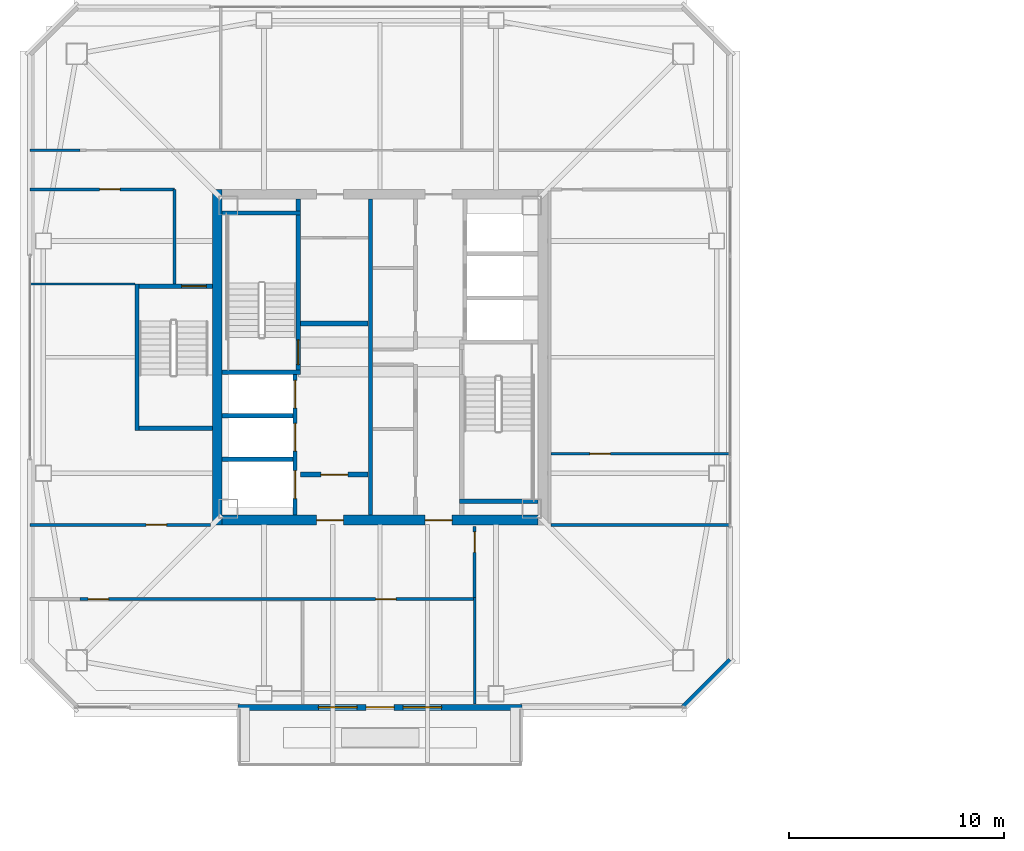
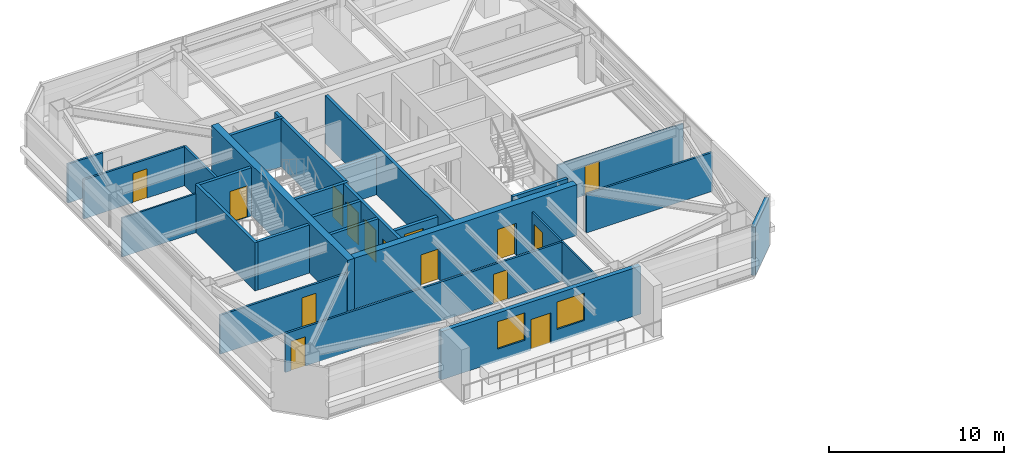
# One storey, part 29 of 40: 27 walls, 15 doors, 2 windows, 17 openings.
"""IFC4 building model written with IfcOpenShell, lengths in metres."""

from ifc_helpers import new_model, si_unit, direction, frame, frame_2d, origin, place, context, subcontext, project, spatial, rectangle, extrude, material, layer, layer_set, type_object, element, fill, save


model = new_model("IFC4")

# Units and contexts
model_context = context("Model", 3, precision=1e-05, world=origin(), true_north=direction((0.0, 1.0)))
body_context = subcontext(model_context, "Body", "Model", "MODEL_VIEW")
ifc_project = project(units=[si_unit("LENGTHUNIT", "METRE"), si_unit("AREAUNIT", "SQUARE_METRE"), si_unit("VOLUMEUNIT", "CUBIC_METRE"), si_unit("PLANEANGLEUNIT", "RADIAN"), si_unit("MASSUNIT", "GRAM", prefix="KILO")], contexts=[model_context])

# Site, building, storey
site_placement = place(None, origin())
site = spatial("IfcSite", under=ifc_project, at=site_placement, CompositionType="ELEMENT")
building_placement = place(site_placement, origin())
building = spatial("IfcBuilding", under=site, at=building_placement, Name="Tashvorn Skyway Center", CompositionType="ELEMENT")
storey_placement = place(building_placement, frame((0.0, 0.0, 221.949951171875)))
storey = spatial("IfcBuildingStorey", under=building, at=storey_placement, Name="L60", CompositionType="ELEMENT", Elevation=221.949951171875)

# Wall
ifc_material_1 = material(Name="Concrete C50/60", Category="concrete")
ifc_layer_1 = layer(ifc_material_1, 0.449951171875)
ifc_layer_set_1 = layer_set([ifc_layer_1], Name="Concrete C50/60")
wall_type_1 = type_object("IfcWallType", Name="WALL-CORE-450", PredefinedType="SHEAR", material=ifc_layer_set_1)
wall_1_placement = place(storey_placement, frame((34.425048828125, 24.199951171875, 0.0), z_axis=(0.0, 0.0, 1.0), x_axis=(0.0, 1.0, 0.0)))
element("IfcWall", 1, at=wall_1_placement, inside=storey, type_object=wall_type_1, Name="Tower 1 L60 West Core Shear Wall", PredefinedType="SHEAR", context=body_context, shape_type="SweptSolid", body=[
    extrude(rectangle(XDim=15.60009765625, YDim=0.449951171875, at=frame_2d((7.800048828125, 0.0))), origin(), (0.0, 0.0, 1.0), 3.550048828125),
])

# Wall, openings, doors
wall_2_placement = place(storey_placement, frame((49.35009765625, 24.425048828125, 0.0), z_axis=(0.0, 0.0, 1.0), x_axis=(-1.0, 0.0, 0.0)))
wall_2 = element("IfcWall", 2, at=wall_2_placement, inside=storey, type_object=wall_type_1, Name="Tower 1 L60 South Core Shear Wall", PredefinedType="SHEAR", context=body_context, shape_type="SweptSolid", body=[
    extrude(rectangle(XDim=14.7001953125, YDim=0.449951171875, at=frame_2d((7.35009765625, 0.0))), origin(), (0.0, 0.0, 1.0), 3.550048828125),
])
opening_1_placement = place(wall_2_placement, frame((9.050048828125, 0.0, 0.0)))
opening_1 = element("IfcOpeningElement", 3, at=opening_1_placement, cuts=wall_2, Name="Opening D-FFL-1250", PredefinedType="OPENING", context=body_context, shape_type="SweptSolid", body=[
    extrude(rectangle(XDim=1.25, YDim=2.25, at=frame_2d((0.625, 1.125))), frame((0.0, 0.23486328125, 0.0), z_axis=(0.0, -1.0, 0.0), x_axis=(1.0, 0.0, 0.0)), (0.0, 0.0, 1.0), 0.469970703125),
])
opening_2_placement = place(wall_2_placement, frame((4.0, 0.0, 0.0)))
opening_2 = element("IfcOpeningElement", 4, at=opening_2_placement, cuts=wall_2, Name="Opening D-FFL-1250", PredefinedType="OPENING", context=body_context, shape_type="SweptSolid", body=[
    extrude(rectangle(XDim=1.25, YDim=2.25, at=frame_2d((0.625, 1.125))), frame((0.0, 0.23486328125, 0.0), z_axis=(0.0, -1.0, 0.0), x_axis=(1.0, 0.0, 0.0)), (0.0, 0.0, 1.0), 0.469970703125),
])
ifc_material_2 = material(Name="Hollow galvanized steel fire door assembly", Category="steel")
door_type_1 = type_object("IfcDoorType", Name="DOOR-FFL-1250", OperationType="NOTDEFINED", PredefinedType="DOOR", material=ifc_material_2)
door_1_placement = place(opening_1_placement, origin())
door_1 = element("IfcDoor", 5, at=door_1_placement, inside=storey, type_object=door_type_1, Name="Tower 1 L60 Core South Firefighting Exit Door", OperationType="SINGLE_SWING_LEFT", OverallHeight=2.25, OverallWidth=1.25, PredefinedType="DOOR", context=body_context, shape_type="SweptSolid", body=[
    extrude(rectangle(XDim=1.25, YDim=2.25, at=frame_2d((0.625, 1.125))), frame((0.0, 0.02490234375, 0.0), z_axis=(0.0, -1.0, 0.0), x_axis=(1.0, 0.0, 0.0)), (0.0, 0.0, 1.0), 0.050048828125),
])
fill(opening_1, door_1)
door_2_placement = place(opening_2_placement, origin())
door_2 = element("IfcDoor", 6, at=door_2_placement, inside=storey, type_object=door_type_1, Name="Tower 1 L60 Core South Lift Lobby Door", OperationType="SINGLE_SWING_RIGHT", OverallHeight=2.25, OverallWidth=1.25, PredefinedType="DOOR", context=body_context, shape_type="SweptSolid", body=[
    extrude(rectangle(XDim=1.25, YDim=2.25, at=frame_2d((0.625, 1.125))), frame((0.0, 0.02490234375, 0.0), z_axis=(0.0, -1.0, 0.0), x_axis=(1.0, 0.0, 0.0)), (0.0, 0.0, 1.0), 0.050048828125),
])
fill(opening_2, door_2)

# Wall, openings, door, windows
ifc_material_3 = material(Name="Precast concrete C40/50", Category="concrete")
ifc_layer_2 = layer(ifc_material_3, 0.280029296875)
ifc_layer_set_2 = layer_set([ifc_layer_2], Name="Precast concrete C40/50")
wall_type_2 = type_object("IfcWallType", Name="WALL-EXT-280", PredefinedType="SOLIDWALL", material=ifc_layer_set_2)
wall_3_placement = place(storey_placement, frame((48.60009765625, 15.719970703125, 0.0), z_axis=(0.0, 0.0, 1.0), x_axis=(-1.0, 0.0, 0.0)))
wall_3 = element("IfcWall", 7, at=wall_3_placement, inside=storey, type_object=wall_type_2, Name="Tower 1 L60 South Sky Garden Loggia Wall", PredefinedType="SOLIDWALL", context=body_context, shape_type="SweptSolid", body=[
    extrude(rectangle(XDim=13.2001953125, YDim=0.280029296875, at=frame_2d((6.60009765625, 0.0))), origin(), (0.0, 0.0, 1.0), 3.3701171875),
])
opening_3_placement = place(wall_3_placement, frame((5.949951171875, 0.0, 0.0)))
opening_3 = element("IfcOpeningElement", 8, at=opening_3_placement, cuts=wall_3, Name="Opening D-TER-1300", PredefinedType="OPENING", context=body_context, shape_type="SweptSolid", body=[
    extrude(rectangle(XDim=1.300048828125, YDim=2.14990234375, at=frame_2d((0.64990234375, 1.074951171875))), frame((0.0, 0.14990234375, 0.0), z_axis=(0.0, -1.0, 0.0), x_axis=(1.0, 0.0, 0.0)), (0.0, 0.0, 1.0), 0.300048828125),
])
opening_4_placement = place(wall_3_placement, frame((3.73193359375, 0.0, 0.85009765625)))
opening_4 = element("IfcOpeningElement", 9, at=opening_4_placement, cuts=wall_3, Name="Opening WIN-1800", PredefinedType="OPENING", context=body_context, shape_type="SweptSolid", body=[
    extrude(rectangle(XDim=1.800048828125, YDim=1.919921875, at=frame_2d((0.89990234375, 0.9599609375))), frame((0.0, 0.14990234375, 0.0), z_axis=(0.0, -1.0, 0.0), x_axis=(1.0, 0.0, 0.0)), (0.0, 0.0, 1.0), 0.300048828125),
])
opening_5_placement = place(wall_3_placement, frame((7.66796875, 0.0, 0.85009765625)))
opening_5 = element("IfcOpeningElement", 10, at=opening_5_placement, cuts=wall_3, Name="Opening WIN-1800", PredefinedType="OPENING", context=body_context, shape_type="SweptSolid", body=[
    extrude(rectangle(XDim=1.800048828125, YDim=1.919921875, at=frame_2d((0.89990234375, 0.9599609375))), frame((0.0, 0.14990234375, 0.0), z_axis=(0.0, -1.0, 0.0), x_axis=(1.0, 0.0, 0.0)), (0.0, 0.0, 1.0), 0.300048828125),
])
ifc_material_4 = material(Name="Thermally broken bronze-anodized aluminium 6063-T6", Category="aluminium")
door_type_2 = type_object("IfcDoorType", Name="DOOR-TERR-1300", OperationType="NOTDEFINED", PredefinedType="DOOR", material=ifc_material_4)
door_3_placement = place(opening_3_placement, origin())
door_3 = element("IfcDoor", 11, at=door_3_placement, inside=storey, type_object=door_type_2, Name="Tower 1 L60 Sky Garden Access Door", OperationType="SINGLE_SWING_RIGHT", OverallHeight=2.14990234375, OverallWidth=1.300048828125, PredefinedType="DOOR", context=body_context, shape_type="SweptSolid", body=[
    extrude(rectangle(XDim=1.300048828125, YDim=2.14990234375, at=frame_2d((0.64990234375, 1.074951171875))), frame((0.0, 0.02490234375, 0.0), z_axis=(0.0, -1.0, 0.0), x_axis=(1.0, 0.0, 0.0)), (0.0, 0.0, 1.0), 0.050048828125),
])
fill(opening_3, door_3)
ifc_material_5 = material(Name="Low-E solar-control double insulating safety glass", Category="glass")
window_type = type_object("IfcWindowType", Name="WIN-TERR-1800", PartitioningType="SINGLE_PANEL", PredefinedType="WINDOW", material=ifc_material_5)
window_1_placement = place(opening_4_placement, origin())
window_1 = element("IfcWindow", 12, at=window_1_placement, inside=storey, type_object=window_type, Name="Tower 1 L60 Sky Garden Window", OverallHeight=1.919921875, OverallWidth=1.800048828125, PartitioningType="SINGLE_PANEL", PredefinedType="WINDOW", context=body_context, shape_type="SweptSolid", body=[
    extrude(rectangle(XDim=1.800048828125, YDim=1.919921875, at=frame_2d((0.89990234375, 0.9599609375))), frame((0.0, 0.030029296875, 0.0), z_axis=(0.0, -1.0, 0.0), x_axis=(1.0, 0.0, 0.0)), (0.0, 0.0, 1.0), 0.06005859375),
])
fill(opening_4, window_1)
window_2_placement = place(opening_5_placement, origin())
window_2 = element("IfcWindow", 13, at=window_2_placement, inside=storey, type_object=window_type, Name="Tower 1 L60 Sky Garden Second Window", OverallHeight=1.919921875, OverallWidth=1.800048828125, PartitioningType="SINGLE_PANEL", PredefinedType="WINDOW", context=body_context, shape_type="SweptSolid", body=[
    extrude(rectangle(XDim=1.800048828125, YDim=1.919921875, at=frame_2d((0.89990234375, 0.9599609375))), frame((0.0, 0.030029296875, 0.0), z_axis=(0.0, -1.0, 0.0), x_axis=(1.0, 0.0, 0.0)), (0.0, 0.0, 1.0), 0.06005859375),
])
fill(opening_5, window_2)

# Walls
wall_4_placement = place(storey_placement, frame((58.300048828125, 17.89990234375, 0.0), z_axis=(0.0, 0.0, 1.0), x_axis=(-0.707106781187, -0.707106781187, 0.0)))
element("IfcWall", 14, at=wall_4_placement, inside=storey, type_object=wall_type_2, Name="Tower 1 L60 SE Precast Chamfer Wall", PredefinedType="SOLIDWALL", context=body_context, shape_type="SweptSolid", body=[
    extrude(rectangle(XDim=3.111083984375, YDim=0.280029296875, at=frame_2d((1.5556640625, 0.0))), origin(), (0.0, 0.0, 1.0), 3.3701171875),
])
ifc_material_6 = material(Name="Concrete C40/50", Category="concrete")
ifc_layer_3 = layer(ifc_material_6, 0.219970703125)
ifc_layer_set_3 = layer_set([ifc_layer_3], Name="Concrete C40/50")
wall_type_3 = type_object("IfcWallType", Name="WALL-FFL-220", PredefinedType="SOLIDWALL", material=ifc_layer_set_3)
wall_5_placement = place(storey_placement, frame((38.300048828125, 33.56005859375, 0.0), z_axis=(0.0, 0.0, 1.0), x_axis=(1.0, 0.0, 0.0)))
element("IfcWall", 15, at=wall_5_placement, inside=storey, type_object=wall_type_3, Name="Tower 1 L60 Firefighting Lobby North Wall", PredefinedType="SOLIDWALL", context=body_context, shape_type="SweptSolid", body=[
    extrude(rectangle(XDim=3.14990234375, YDim=0.219970703125, at=frame_2d((1.574951171875, 0.0))), origin(), (0.0, 0.0, 1.0), 2.72314453125),
])

# Wall, opening, door
wall_6_placement = place(storey_placement, frame((38.300048828125, 26.5400390625, 0.0), z_axis=(0.0, 0.0, 1.0), x_axis=(1.0, 0.0, 0.0)))
wall_6 = element("IfcWall", 16, at=wall_6_placement, inside=storey, type_object=wall_type_3, Name="Tower 1 L60 Firefighting Lobby South Wall", PredefinedType="SOLIDWALL", context=body_context, shape_type="SweptSolid", body=[
    extrude(rectangle(XDim=3.14990234375, YDim=0.219970703125, at=frame_2d((1.574951171875, 0.0))), origin(), (0.0, 0.0, 1.0), 2.72314453125),
])
opening_6_placement = place(wall_6_placement, frame((0.949951171875, 0.0, 0.0)))
opening_6 = element("IfcOpeningElement", 17, at=opening_6_placement, cuts=wall_6, Name="Opening D-FFL-1250", PredefinedType="OPENING", context=body_context, shape_type="SweptSolid", body=[
    extrude(rectangle(XDim=1.25, YDim=2.25, at=frame_2d((0.625, 1.125))), frame((0.0, 0.119873046875, 0.0), z_axis=(0.0, -1.0, 0.0), x_axis=(1.0, 0.0, 0.0)), (0.0, 0.0, 1.0), 0.239990234375),
])
door_4_placement = place(opening_6_placement, origin())
door_4 = element("IfcDoor", 18, at=door_4_placement, inside=storey, type_object=door_type_1, Name="Tower 1 L60 Firefighting Lobby Egress Door", OperationType="SINGLE_SWING_LEFT", OverallHeight=2.25, OverallWidth=1.25, PredefinedType="DOOR", context=body_context, shape_type="SweptSolid", body=[
    extrude(rectangle(XDim=1.25, YDim=2.25, at=frame_2d((0.625, 1.125))), frame((0.0, 0.02490234375, 0.0), z_axis=(0.0, -1.0, 0.0), x_axis=(1.0, 0.0, 0.0)), (0.0, 0.0, 1.0), 0.050048828125),
])
fill(opening_6, door_4)

# Wall
ifc_material_7 = material(Name="Gypsum board on cold-formed steel stud framing", Category="steel")
ifc_layer_4 = layer(ifc_material_7, 0.110107421875)
ifc_layer_set_4 = layer_set([ifc_layer_4], Name="Gypsum board on cold-formed steel stud framing")
wall_type_4 = type_object("IfcWallType", Name="WALL-PART-110", PredefinedType="PARTITIONING", material=ifc_layer_set_4)
wall_7_placement = place(storey_placement, frame((46.39990234375, 15.8701171875, 0.0), z_axis=(0.0, 0.0, 1.0), x_axis=(0.0, 1.0, 0.0)))
element("IfcWall", 19, at=wall_7_placement, inside=storey, type_object=wall_type_4, Name="Tower 1 L60 South-East Suite Wall", PredefinedType="PARTITIONING", context=body_context, shape_type="SweptSolid", body=[
    extrude(rectangle(XDim=4.9599609375, YDim=0.110107421875, at=frame_2d((2.47998046875, 0.0))), origin(), (0.0, 0.0, 1.0), 2.72314453125),
])

# Wall, opening, door
wall_8_placement = place(storey_placement, frame((49.9599609375, 27.5, 0.0), z_axis=(0.0, 0.0, 1.0), x_axis=(1.0, 0.0, 0.0)))
wall_8 = element("IfcWall", 20, at=wall_8_placement, inside=storey, type_object=wall_type_4, Name="Tower 1 L60 East Mid Partition", PredefinedType="PARTITIONING", context=body_context, shape_type="SweptSolid", body=[
    extrude(rectangle(XDim=8.320068359375, YDim=0.110107421875, at=frame_2d((4.16015625, 0.0))), origin(), (0.0, 0.0, 1.0), 2.72314453125),
])
opening_7_placement = place(wall_8_placement, frame((1.800048828125, 0.0, 0.0)))
opening_7 = element("IfcOpeningElement", 21, at=opening_7_placement, cuts=wall_8, Name="Opening D-INT-950", PredefinedType="OPENING", context=body_context, shape_type="SweptSolid", body=[
    extrude(rectangle(XDim=0.949951171875, YDim=2.050048828125, at=frame_2d((0.47509765625, 1.02490234375))), frame((0.0, 0.06494140625, 0.0), z_axis=(0.0, -1.0, 0.0), x_axis=(1.0, 0.0, 0.0)), (0.0, 0.0, 1.0), 0.130126953125),
])
ifc_material_8 = material(Name="Solid-core architectural oak veneer door")
door_type_3 = type_object("IfcDoorType", Name="DOOR-INT-950", OperationType="NOTDEFINED", PredefinedType="DOOR", material=ifc_material_8)
door_5_placement = place(opening_7_placement, origin())
door_5 = element("IfcDoor", 22, at=door_5_placement, inside=storey, type_object=door_type_3, Name="Tower 1 L60 Staff Fitness Club Door", OperationType="SINGLE_SWING_RIGHT", OverallHeight=2.050048828125, OverallWidth=0.949951171875, PredefinedType="DOOR", context=body_context, shape_type="SweptSolid", body=[
    extrude(rectangle(XDim=0.949951171875, YDim=2.050048828125, at=frame_2d((0.47509765625, 1.02490234375))), frame((0.0, 0.02490234375, 0.0), z_axis=(0.0, -1.0, 0.0), x_axis=(1.0, 0.0, 0.0)), (0.0, 0.0, 1.0), 0.050048828125),
])
fill(opening_7, door_5)

# Walls
wall_9_placement = place(storey_placement, frame((30.60009765625, 35.39990234375, 0.0), z_axis=(0.0, 0.0, 1.0), x_axis=(-1.0, 0.0, 0.0)))
element("IfcWall", 23, at=wall_9_placement, inside=storey, type_object=wall_type_4, Name="Tower 1 L60 West Suite Partition 1", PredefinedType="PARTITIONING", context=body_context, shape_type="SweptSolid", body=[
    extrude(rectangle(XDim=4.880126953125, YDim=0.110107421875, at=frame_2d((2.43994140625, 0.0))), origin(), (0.0, 0.0, 1.0), 2.72314453125),
])
ifc_layer_5 = layer(ifc_material_7, 0.135009765625)
ifc_layer_set_5 = layer_set([ifc_layer_5], Name="Gypsum board on cold-formed steel stud framing")
wall_type_5 = type_object("IfcWallType", Name="WALL-PART-135", PredefinedType="PARTITIONING", material=ifc_layer_set_5)
wall_10_placement = place(storey_placement, frame((32.449951171875, 35.39990234375, 0.0), z_axis=(0.0, 0.0, 1.0), x_axis=(0.0, 1.0, 0.0)))
element("IfcWall", 24, at=wall_10_placement, inside=storey, type_object=wall_type_5, Name="Tower 1 L60 Stair 3 Access Corridor Wall", PredefinedType="PARTITIONING", context=body_context, shape_type="SweptSolid", body=[
    extrude(rectangle(XDim=4.400146484375, YDim=0.135009765625, at=frame_2d((2.2001953125, 0.0))), origin(), (0.0, 0.0, 1.0), 2.72314453125),
])
wall_11_placement = place(storey_placement, frame((25.719970703125, 41.6201171875, 0.0), z_axis=(0.0, 0.0, 1.0), x_axis=(1.0, 0.0, 0.0)))
element("IfcWall", 25, at=wall_11_placement, inside=storey, type_object=wall_type_5, Name="Tower 1 L60 North-West Suite South Wall", PredefinedType="PARTITIONING", context=body_context, shape_type="SweptSolid", body=[
    extrude(rectangle(XDim=2.330078125, YDim=0.135009765625, at=frame_2d((1.1650390625, 0.0))), origin(), (0.0, 0.0, 1.0), 2.72314453125),
])

# Wall, openings, doors
wall_12_placement = place(storey_placement, frame((46.39990234375, 20.75, 0.0), z_axis=(0.0, 0.0, 1.0), x_axis=(-1.0, 0.0, 0.0)))
wall_12 = element("IfcWall", 26, at=wall_12_placement, inside=storey, type_object=wall_type_5, Name="Tower 1 L60 South Suite Wall", PredefinedType="PARTITIONING", context=body_context, shape_type="SweptSolid", body=[
    extrude(rectangle(XDim=18.349853515625, YDim=0.135009765625, at=frame_2d((9.1748046875, 0.0))), origin(), (0.0, 0.0, 1.0), 2.72314453125),
])
opening_8_placement = place(wall_12_placement, frame((17.02001953125, 0.0, 0.0)))
opening_8 = element("IfcOpeningElement", 27, at=opening_8_placement, cuts=wall_12, Name="Opening D-INT-950", PredefinedType="OPENING", context=body_context, shape_type="SweptSolid", body=[
    extrude(rectangle(XDim=0.949951171875, YDim=2.050048828125, at=frame_2d((0.47509765625, 1.02490234375))), frame((0.0, 0.077392578125, 0.0), z_axis=(0.0, -1.0, 0.0), x_axis=(1.0, 0.0, 0.0)), (0.0, 0.0, 1.0), 0.155029296875),
])
opening_9_placement = place(wall_12_placement, frame((3.65087890625, 0.0, 0.0)))
opening_9 = element("IfcOpeningElement", 28, at=opening_9_placement, cuts=wall_12, Name="Opening D-INT-950", PredefinedType="OPENING", context=body_context, shape_type="SweptSolid", body=[
    extrude(rectangle(XDim=0.949951171875, YDim=2.050048828125, at=frame_2d((0.47509765625, 1.02490234375))), frame((0.0, 0.077392578125, 0.0), z_axis=(0.0, -1.0, 0.0), x_axis=(1.0, 0.0, 0.0)), (0.0, 0.0, 1.0), 0.155029296875),
])
door_6_placement = place(opening_8_placement, origin())
door_6 = element("IfcDoor", 29, at=door_6_placement, inside=storey, type_object=door_type_3, Name="Tower 1 L60 Open Plan Office Door", OperationType="SINGLE_SWING_RIGHT", OverallHeight=2.050048828125, OverallWidth=0.949951171875, PredefinedType="DOOR", context=body_context, shape_type="SweptSolid", body=[
    extrude(rectangle(XDim=0.949951171875, YDim=2.050048828125, at=frame_2d((0.47509765625, 1.02490234375))), frame((0.0, 0.02490234375, 0.0), z_axis=(0.0, -1.0, 0.0), x_axis=(1.0, 0.0, 0.0)), (0.0, 0.0, 1.0), 0.050048828125),
])
fill(opening_8, door_6)
door_7_placement = place(opening_9_placement, origin())
door_7 = element("IfcDoor", 30, at=door_7_placement, inside=storey, type_object=door_type_3, Name="Tower 1 L60 Design Studio Door", OperationType="SINGLE_SWING_LEFT", OverallHeight=2.050048828125, OverallWidth=0.949951171875, PredefinedType="DOOR", context=body_context, shape_type="SweptSolid", body=[
    extrude(rectangle(XDim=0.949951171875, YDim=2.050048828125, at=frame_2d((0.47509765625, 1.02490234375))), frame((0.0, 0.02490234375, 0.0), z_axis=(0.0, -1.0, 0.0), x_axis=(1.0, 0.0, 0.0)), (0.0, 0.0, 1.0), 0.050048828125),
])
fill(opening_9, door_7)

# Wall, opening, door
wall_13_placement = place(storey_placement, frame((46.39990234375, 24.1201171875, 0.0), z_axis=(0.0, 0.0, 1.0), x_axis=(0.0, -1.0, 0.0)))
wall_13 = element("IfcWall", 31, at=wall_13_placement, inside=storey, type_object=wall_type_5, Name="Tower 1 L60 South Gallery End Wall", PredefinedType="PARTITIONING", context=body_context, shape_type="SweptSolid", body=[
    extrude(rectangle(XDim=3.2900390625, YDim=0.135009765625, at=frame_2d((1.64501953125, 0.0))), origin(), (0.0, 0.0, 1.0), 2.72314453125),
])
opening_10_placement = place(wall_13_placement, frame((0.25, 0.0, 0.0)))
opening_10 = element("IfcOpeningElement", 32, at=opening_10_placement, cuts=wall_13, Name="Opening D-INT-950", PredefinedType="OPENING", context=body_context, shape_type="SweptSolid", body=[
    extrude(rectangle(XDim=0.949951171875, YDim=2.050048828125, at=frame_2d((0.47509765625, 1.02490234375))), frame((0.0, 0.077392578125, 0.0), z_axis=(0.0, -1.0, 0.0), x_axis=(1.0, 0.0, 0.0)), (0.0, 0.0, 1.0), 0.155029296875),
])
door_8_placement = place(opening_10_placement, origin())
door_8 = element("IfcDoor", 33, at=door_8_placement, inside=storey, type_object=door_type_3, Name="Tower 1 L60 Executive Study Lounge Door", OperationType="SINGLE_SWING_RIGHT", OverallHeight=2.050048828125, OverallWidth=0.949951171875, PredefinedType="DOOR", context=body_context, shape_type="SweptSolid", body=[
    extrude(rectangle(XDim=0.949951171875, YDim=2.050048828125, at=frame_2d((0.47509765625, 1.02490234375))), frame((0.0, 0.02490234375, 0.0), z_axis=(0.0, -1.0, 0.0), x_axis=(1.0, 0.0, 0.0)), (0.0, 0.0, 1.0), 0.050048828125),
])
fill(opening_10, door_8)

# Wall
wall_14_placement = place(storey_placement, frame((49.9599609375, 24.199951171875, 0.0), z_axis=(0.0, 0.0, 1.0), x_axis=(1.0, 0.0, 0.0)))
element("IfcWall", 34, at=wall_14_placement, inside=storey, type_object=wall_type_5, Name="Tower 1 L60 East Suite South Wall", PredefinedType="PARTITIONING", context=body_context, shape_type="SweptSolid", body=[
    extrude(rectangle(XDim=8.320068359375, YDim=0.135009765625, at=frame_2d((4.16015625, 0.0))), origin(), (0.0, 0.0, 1.0), 2.72314453125),
])

# Wall, opening, door
wall_15_placement = place(storey_placement, frame((32.449951171875, 39.800048828125, 0.0), z_axis=(0.0, 0.0, 1.0), x_axis=(-1.0, 0.0, 0.0)))
wall_15 = element("IfcWall", 35, at=wall_15_placement, inside=storey, type_object=wall_type_5, Name="Tower 1 L60 West Suite North Wall", PredefinedType="PARTITIONING", context=body_context, shape_type="SweptSolid", body=[
    extrude(rectangle(XDim=6.72998046875, YDim=0.135009765625, at=frame_2d((3.364990234375, 0.0))), origin(), (0.0, 0.0, 1.0), 2.72314453125),
])
opening_11_placement = place(wall_15_placement, frame((2.5400390625, 0.0, 0.0)))
opening_11 = element("IfcOpeningElement", 36, at=opening_11_placement, cuts=wall_15, Name="Opening D-INT-950", PredefinedType="OPENING", context=body_context, shape_type="SweptSolid", body=[
    extrude(rectangle(XDim=0.949951171875, YDim=2.050048828125, at=frame_2d((0.47509765625, 1.02490234375))), frame((0.0, 0.077392578125, 0.0), z_axis=(0.0, -1.0, 0.0), x_axis=(1.0, 0.0, 0.0)), (0.0, 0.0, 1.0), 0.155029296875),
])
door_9_placement = place(opening_11_placement, origin())
door_9 = element("IfcDoor", 37, at=door_9_placement, inside=storey, type_object=door_type_3, Name="Tower 1 L60 Staff Fitness Club Door", OperationType="SINGLE_SWING_LEFT", OverallHeight=2.050048828125, OverallWidth=0.949951171875, PredefinedType="DOOR", context=body_context, shape_type="SweptSolid", body=[
    extrude(rectangle(XDim=0.949951171875, YDim=2.050048828125, at=frame_2d((0.47509765625, 1.02490234375))), frame((0.0, 0.02490234375, 0.0), z_axis=(0.0, -1.0, 0.0), x_axis=(1.0, 0.0, 0.0)), (0.0, 0.0, 1.0), 0.050048828125),
])
fill(opening_11, door_9)

wall_16_placement = place(storey_placement, frame((25.719970703125, 24.199951171875, 0.0), z_axis=(0.0, 0.0, 1.0), x_axis=(1.0, 0.0, 0.0)))
wall_16 = element("IfcWall", 38, at=wall_16_placement, inside=storey, type_object=wall_type_5, Name="Tower 1 L60 West Suite South Wall", PredefinedType="PARTITIONING", context=body_context, shape_type="SweptSolid", body=[
    extrude(rectangle(XDim=8.400146484375, YDim=0.135009765625, at=frame_2d((4.2001953125, 0.0))), origin(), (0.0, 0.0, 1.0), 2.72314453125),
])
opening_12_placement = place(wall_16_placement, frame((5.405029296875, 0.0, 0.0)))
opening_12 = element("IfcOpeningElement", 39, at=opening_12_placement, cuts=wall_16, Name="Opening D-INT-950", PredefinedType="OPENING", context=body_context, shape_type="SweptSolid", body=[
    extrude(rectangle(XDim=0.949951171875, YDim=2.050048828125, at=frame_2d((0.47509765625, 1.02490234375))), frame((0.0, 0.077392578125, 0.0), z_axis=(0.0, -1.0, 0.0), x_axis=(1.0, 0.0, 0.0)), (0.0, 0.0, 1.0), 0.155029296875),
])
door_10_placement = place(opening_12_placement, origin())
door_10 = element("IfcDoor", 40, at=door_10_placement, inside=storey, type_object=door_type_3, Name="Tower 1 L60 Public Restroom Door", OperationType="SINGLE_SWING_RIGHT", OverallHeight=2.050048828125, OverallWidth=0.949951171875, PredefinedType="DOOR", context=body_context, shape_type="SweptSolid", body=[
    extrude(rectangle(XDim=0.949951171875, YDim=2.050048828125, at=frame_2d((0.47509765625, 1.02490234375))), frame((0.0, 0.02490234375, 0.0), z_axis=(0.0, -1.0, 0.0), x_axis=(1.0, 0.0, 0.0)), (0.0, 0.0, 1.0), 0.050048828125),
])
fill(opening_12, door_10)

# Walls
ifc_layer_6 = layer(ifc_material_6, 0.199951171875)
ifc_layer_set_6 = layer_set([ifc_layer_6], Name="Concrete C40/50")
wall_type_6 = type_object("IfcWallType", Name="WALL-SHAFT-200", PredefinedType="SOLIDWALL", material=ifc_layer_set_6)
for number, where, z_axis, x_axis, name in (
    (41, (34.64990234375, 27.25, 0.0), (0.0, 0.0, 1.0), (1.0, 0.0, 0.0), "Tower 1 L60 FSAE Shaft Divider"),
    (42, (34.64990234375, 29.280029296875, 0.0), (0.0, 0.0, 1.0), (1.0, 0.0, 0.0), "Tower 1 L60 FSAE Shaft Divider"),
):
    element("IfcWall", number, at=place(storey_placement, frame(where, z_axis=z_axis, x_axis=x_axis)), inside=storey, type_object=wall_type_6, Name=name, PredefinedType="SOLIDWALL", context=body_context, shape_type="SweptSolid", body=[
        extrude(rectangle(XDim=3.300048828125, YDim=0.199951171875, at=frame_2d((1.64990234375, 0.0))), origin(), (0.0, 0.0, 1.0), 3.3701171875),
    ])

# Wall, opening, door
ifc_layer_7 = layer(ifc_material_6, 0.199951171875)
ifc_layer_set_7 = layer_set([ifc_layer_7], Name="Concrete C40/50")
wall_type_7 = type_object("IfcWallType", Name="WALL-STSHF-200", PredefinedType="SHEAR", material=ifc_layer_set_7)
wall_17_placement = place(storey_placement, frame((38.199951171875, 31.199951171875, 0.0), z_axis=(0.0, 0.0, 1.0), x_axis=(0.0, 1.0, 0.0)))
wall_17 = element("IfcWall", 43, at=wall_17_placement, inside=storey, type_object=wall_type_7, Name="Tower 1 L60 Stair 1 Enclosure Wall", PredefinedType="SHEAR", context=body_context, shape_type="SweptSolid", body=[
    extrude(rectangle(XDim=8.150146484375, YDim=0.199951171875, at=frame_2d((4.0751953125, 0.0))), origin(), (0.0, 0.0, 1.0), 3.3701171875),
])
opening_13_placement = place(wall_17_placement, frame((0.449951171875, 0.0, 0.0)))
opening_13 = element("IfcOpeningElement", 44, at=opening_13_placement, cuts=wall_17, Name="Opening D-ST-1150", PredefinedType="OPENING", context=body_context, shape_type="SweptSolid", body=[
    extrude(rectangle(XDim=1.14990234375, YDim=2.199951171875, at=frame_2d((0.574951171875, 1.10009765625))), frame((0.0, 0.10986328125, 0.0), z_axis=(0.0, -1.0, 0.0), x_axis=(1.0, 0.0, 0.0)), (0.0, 0.0, 1.0), 0.219970703125),
])
door_type_4 = type_object("IfcDoorType", Name="DOOR-STAIR-1150", OperationType="NOTDEFINED", PredefinedType="DOOR", material=ifc_material_2)
door_11_placement = place(opening_13_placement, origin())
door_11 = element("IfcDoor", 45, at=door_11_placement, inside=storey, type_object=door_type_4, Name="Tower 1 L60 Exit Stair 1 Door", OperationType="SINGLE_SWING_RIGHT", OverallHeight=2.199951171875, OverallWidth=1.14990234375, PredefinedType="DOOR", context=body_context, shape_type="SweptSolid", body=[
    extrude(rectangle(XDim=1.14990234375, YDim=2.199951171875, at=frame_2d((0.574951171875, 1.10009765625))), frame((0.0, 0.02490234375, 0.0), z_axis=(0.0, -1.0, 0.0), x_axis=(1.0, 0.0, 0.0)), (0.0, 0.0, 1.0), 0.050048828125),
])
fill(opening_13, door_11)

# Walls
for number, where, z_axis, x_axis, name in (
    (46, (34.64990234375, 31.300048828125, 0.0), (0.0, 0.0, 1.0), (1.0, 0.0, 0.0), "Tower 1 L60 Stair 1 South Wall"),
    (47, (34.64990234375, 38.699951171875, 0.0), (0.0, 0.0, 1.0), (1.0, 0.0, 0.0), "Tower 1 L60 Stair 1 North Wall"),
    (48, (45.699951171875, 25.300048828125, 0.0), (0.0, 0.0, 1.0), (1.0, 0.0, 0.0), "Tower 1 L60 Stair 2 South Wall"),
):
    element("IfcWall", number, at=place(storey_placement, frame(where, z_axis=z_axis, x_axis=x_axis)), inside=storey, type_object=wall_type_7, Name=name, PredefinedType="SHEAR", context=body_context, shape_type="SweptSolid", body=[
        extrude(rectangle(XDim=3.650146484375, YDim=0.199951171875, at=frame_2d((1.8251953125, 0.0))), origin(), (0.0, 0.0, 1.0), 3.3701171875),
    ])
wall_18_placement = place(storey_placement, frame((41.56005859375, 24.64990234375, 0.0), z_axis=(0.0, 0.0, 1.0), x_axis=(0.0, 1.0, 0.0)))
element("IfcWall", 49, at=wall_18_placement, inside=storey, type_object=wall_type_7, Name="Tower 1 L60 Firefighting Lobby East Smoke Barrier", PredefinedType="SHEAR", context=body_context, shape_type="SweptSolid", body=[
    extrude(rectangle(XDim=14.7001953125, YDim=0.199951171875, at=frame_2d((7.35009765625, 0.0))), origin(), (0.0, 0.0, 1.0), 3.3701171875),
])

# Wall, openings, doors
wall_19_placement = place(storey_placement, frame((38.050048828125, 24.64990234375, 0.0), z_axis=(0.0, 0.0, 1.0), x_axis=(0.0, 1.0, 0.0)))
wall_19 = element("IfcWall", 50, at=wall_19_placement, inside=storey, type_object=wall_type_7, Name="Tower 1 L60 FSAE and Goods Shaft Front Wall", PredefinedType="SHEAR", context=body_context, shape_type="SweptSolid", body=[
    extrude(rectangle(XDim=6.550048828125, YDim=0.199951171875, at=frame_2d((3.27490234375, 0.0))), origin(), (0.0, 0.0, 1.0), 3.3701171875),
])
opening_14_placement = place(wall_19_placement, frame((4.97509765625, 0.0, 0.0)))
opening_14 = element("IfcOpeningElement", 51, at=opening_14_placement, cuts=wall_19, Name="Opening LD-FF-T1-1-L60", PredefinedType="OPENING", context=body_context, shape_type="SweptSolid", body=[
    extrude(rectangle(XDim=1.300048828125, YDim=2.25, at=frame_2d((0.64990234375, 1.125))), frame((0.0, 0.10986328125, 0.0), z_axis=(0.0, -1.0, 0.0), x_axis=(1.0, 0.0, 0.0)), (0.0, 0.0, 1.0), 0.219970703125),
])
opening_15_placement = place(wall_19_placement, frame((2.97509765625, 0.0, 0.0)))
opening_15 = element("IfcOpeningElement", 52, at=opening_15_placement, cuts=wall_19, Name="Opening LD-FF-T1-2-L60", PredefinedType="OPENING", context=body_context, shape_type="SweptSolid", body=[
    extrude(rectangle(XDim=1.300048828125, YDim=2.25, at=frame_2d((0.64990234375, 1.125))), frame((0.0, 0.10986328125, 0.0), z_axis=(0.0, -1.0, 0.0), x_axis=(1.0, 0.0, 0.0)), (0.0, 0.0, 1.0), 0.219970703125),
])
opening_16_placement = place(wall_19_placement, frame((0.77490234375, 0.0, 0.0)))
opening_16 = element("IfcOpeningElement", 53, at=opening_16_placement, cuts=wall_19, Name="Opening LD-GD-T1-1-L60", PredefinedType="OPENING", context=body_context, shape_type="SweptSolid", body=[
    extrude(rectangle(XDim=1.300048828125, YDim=2.25, at=frame_2d((0.64990234375, 1.125))), frame((0.0, 0.10986328125, 0.0), z_axis=(0.0, -1.0, 0.0), x_axis=(1.0, 0.0, 0.0)), (0.0, 0.0, 1.0), 0.219970703125),
])
ifc_material_9 = material(Name="Stainless steel heavy-duty landing door", Category="steel")
door_type_5 = type_object("IfcDoorType", Name="DOOR-LIFT-1300", OperationType="SLIDING_TO_LEFT", PredefinedType="DOOR", material=ifc_material_9)
door_12_placement = place(opening_14_placement, origin())
door_12 = element("IfcDoor", 54, at=door_12_placement, inside=storey, type_object=door_type_5, Name="Lift FF-T1-1 L60 Landing Door", OperationType="SLIDING_TO_LEFT", OverallHeight=2.25, OverallWidth=1.300048828125, PredefinedType="DOOR", context=body_context, shape_type="SweptSolid", body=[
    extrude(rectangle(XDim=1.300048828125, YDim=2.25, at=frame_2d((0.64990234375, 1.125))), frame((0.0, 0.02490234375, 0.0), z_axis=(0.0, -1.0, 0.0), x_axis=(1.0, 0.0, 0.0)), (0.0, 0.0, 1.0), 0.050048828125),
])
fill(opening_14, door_12)
door_13_placement = place(opening_15_placement, origin())
door_13 = element("IfcDoor", 55, at=door_13_placement, inside=storey, type_object=door_type_5, Name="Lift FF-T1-2 L60 Landing Door", OperationType="SLIDING_TO_LEFT", OverallHeight=2.25, OverallWidth=1.300048828125, PredefinedType="DOOR", context=body_context, shape_type="SweptSolid", body=[
    extrude(rectangle(XDim=1.300048828125, YDim=2.25, at=frame_2d((0.64990234375, 1.125))), frame((0.0, 0.02490234375, 0.0), z_axis=(0.0, -1.0, 0.0), x_axis=(1.0, 0.0, 0.0)), (0.0, 0.0, 1.0), 0.050048828125),
])
fill(opening_15, door_13)
door_14_placement = place(opening_16_placement, origin())
door_14 = element("IfcDoor", 56, at=door_14_placement, inside=storey, type_object=door_type_5, Name="Lift GD-T1-1 L60 Landing Door", OperationType="SLIDING_TO_LEFT", OverallHeight=2.25, OverallWidth=1.300048828125, PredefinedType="DOOR", context=body_context, shape_type="SweptSolid", body=[
    extrude(rectangle(XDim=1.300048828125, YDim=2.25, at=frame_2d((0.64990234375, 1.125))), frame((0.0, 0.02490234375, 0.0), z_axis=(0.0, -1.0, 0.0), x_axis=(1.0, 0.0, 0.0)), (0.0, 0.0, 1.0), 0.050048828125),
])
fill(opening_16, door_14)

# Wall
wall_20_placement = place(storey_placement, frame((30.699951171875, 28.60009765625, 0.0), z_axis=(0.0, 0.0, 1.0), x_axis=(0.0, 1.0, 0.0)))
element("IfcWall", 57, at=wall_20_placement, inside=storey, type_object=wall_type_7, Name="Tower 1 L60 Stair 3 Outer Wall", PredefinedType="SHEAR", context=body_context, shape_type="SweptSolid", body=[
    extrude(rectangle(XDim=6.7998046875, YDim=0.199951171875, at=frame_2d((3.39990234375, 0.0))), origin(), (0.0, 0.0, 1.0), 3.3701171875),
])

# Wall, opening, door
wall_21_placement = place(storey_placement, frame((34.199951171875, 35.300048828125, 0.0), z_axis=(0.0, 0.0, 1.0), x_axis=(-1.0, 0.0, 0.0)))
wall_21 = element("IfcWall", 58, at=wall_21_placement, inside=storey, type_object=wall_type_7, Name="Tower 1 L60 Stair 3 Enclosure Wall", PredefinedType="SHEAR", context=body_context, shape_type="SweptSolid", body=[
    extrude(rectangle(XDim=3.39990234375, YDim=0.199951171875, at=frame_2d((1.699951171875, 0.0))), origin(), (0.0, 0.0, 1.0), 3.3701171875),
])
opening_17_placement = place(wall_21_placement, frame((0.27490234375, 0.0, 0.0)))
opening_17 = element("IfcOpeningElement", 59, at=opening_17_placement, cuts=wall_21, Name="Opening D-ST-1150", PredefinedType="OPENING", context=body_context, shape_type="SweptSolid", body=[
    extrude(rectangle(XDim=1.14990234375, YDim=2.199951171875, at=frame_2d((0.574951171875, 1.10009765625))), frame((0.0, 0.10986328125, 0.0), z_axis=(0.0, -1.0, 0.0), x_axis=(1.0, 0.0, 0.0)), (0.0, 0.0, 1.0), 0.219970703125),
])
door_15_placement = place(opening_17_placement, origin())
door_15 = element("IfcDoor", 60, at=door_15_placement, inside=storey, type_object=door_type_4, Name="Tower 1 L60 Exit Stair 3 Door", OperationType="SINGLE_SWING_RIGHT", OverallHeight=2.199951171875, OverallWidth=1.14990234375, PredefinedType="DOOR", context=body_context, shape_type="SweptSolid", body=[
    extrude(rectangle(XDim=1.14990234375, YDim=2.199951171875, at=frame_2d((0.574951171875, 1.10009765625))), frame((0.0, 0.02490234375, 0.0), z_axis=(0.0, -1.0, 0.0), x_axis=(1.0, 0.0, 0.0)), (0.0, 0.0, 1.0), 0.050048828125),
])
fill(opening_17, door_15)

# Wall
wall_22_placement = place(storey_placement, frame((30.800048828125, 28.699951171875, 0.0), z_axis=(0.0, 0.0, 1.0), x_axis=(1.0, 0.0, 0.0)))
element("IfcWall", 61, at=wall_22_placement, inside=storey, type_object=wall_type_7, Name="Tower 1 L60 Stair 3 South Wall", PredefinedType="SHEAR", context=body_context, shape_type="SweptSolid", body=[
    extrude(rectangle(XDim=3.39990234375, YDim=0.199951171875, at=frame_2d((1.699951171875, 0.0))), origin(), (0.0, 0.0, 1.0), 3.3701171875),
])

save(model, "model.ifc")
